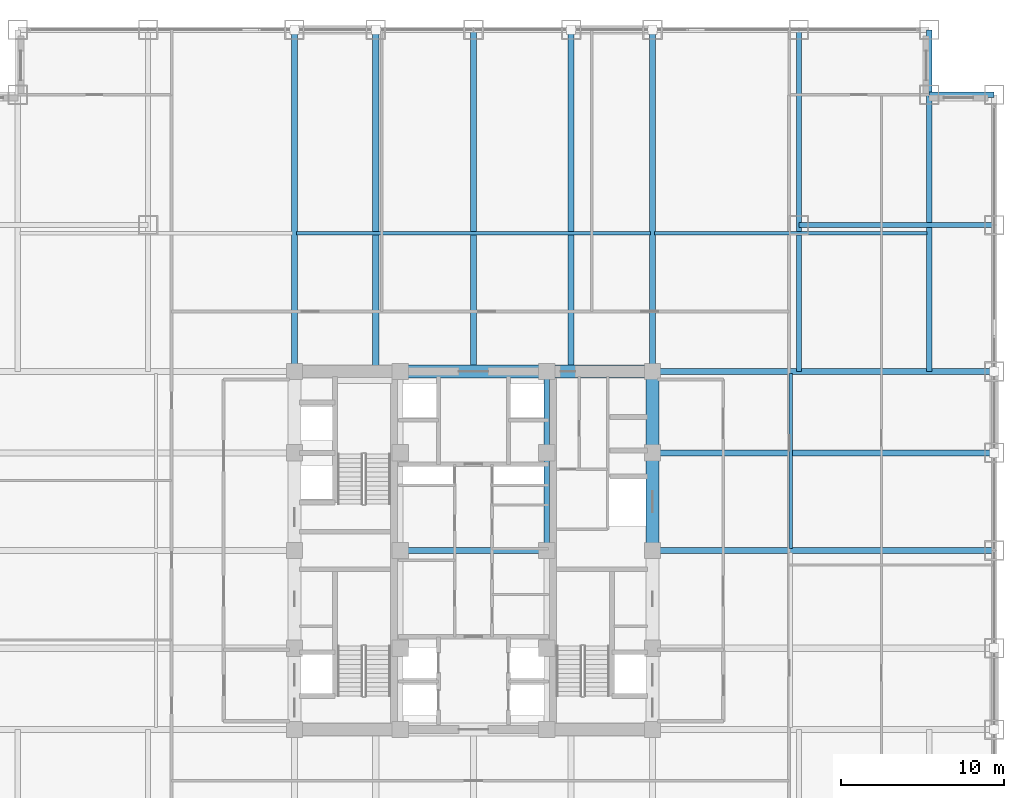
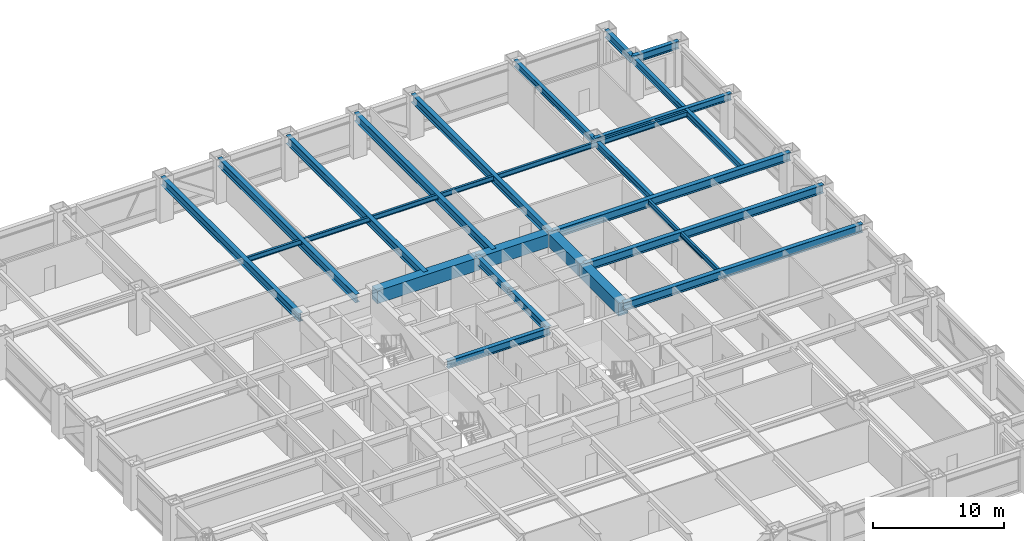
# One storey, part 11 of 28: 23 beams.
"""IFC4 building model written with IfcOpenShell, lengths in metres."""

import ifcopenshell
import ifcopenshell.guid

model = None  # the IFC model being written
_history = None  # IfcOwnerHistory: only IFC2X3 demands one
_inside = {}  # id of a spatial element -> (the spatial element, [elements in it])
_under = {}  # id of a project, library or spatial element -> (it, [spatial elements below it])
_declared = {}  # id of a project -> (the project, [libraries it declares])
_typed = {}  # id of a type object -> (the type object, [elements of that type])
_made_of = {}  # id of a material, layer set ... -> (it, [elements and type objects made of it])


def new_model(schema):
    """Start an empty IFC model of exactly this schema.

    Asked for "IFC4X3", IfcOpenShell would pick the latest addendum, in which some entities
    have other attributes; the version numbers below select the first issue.
    IFC2X3 requires an IfcOwnerHistory on every rooted entity: one is made here for all.
    """
    global model, _history
    if schema == "IFC4X3":
        model = ifcopenshell.file(schema_version=(4, 3, 0, 0))
    else:
        model = ifcopenshell.file(schema=schema)
    _inside.clear()
    _under.clear()
    _declared.clear()
    _typed.clear()
    _made_of.clear()
    _history = None
    if model.schema == "IFC2X3":
        org = make("IfcOrganization", Name="unknown")
        user = make(
            "IfcPersonAndOrganization",
            ThePerson=make("IfcPerson", FamilyName="unknown"),
            TheOrganization=org,
        )
        app = make(
            "IfcApplication",
            ApplicationDeveloper=org,
            Version="unknown",
            ApplicationFullName="unknown",
            ApplicationIdentifier="unknown",
        )
        _history = make(
            "IfcOwnerHistory",
            OwningUser=user,
            OwningApplication=app,
            ChangeAction="ADDED",
            CreationDate=0,
        )
    return model


def make(cls, **values):
    """One entity of the class cls with the attributes given. An attribute that is None is left unset."""
    return model.create_entity(
        cls, **{name: value for name, value in values.items() if value is not None}
    )


def rooted(cls, **values):
    """An entity with a GlobalId (a new one), such as an element, a storey or a relation."""
    return make(cls, GlobalId=ifcopenshell.guid.new(), OwnerHistory=_history, **values)


def si_unit(unit_type, name, prefix=None):
    """IfcSIUnit, for example si_unit("LENGTHUNIT", "METRE", prefix="MILLI")."""
    return make("IfcSIUnit", UnitType=unit_type, Prefix=prefix, Name=name)


def assignment(units):
    """IfcUnitAssignment: the units of a project."""
    return None if units is None else make("IfcUnitAssignment", Units=units)


def point(xyz):
    """IfcCartesianPoint."""
    return None if xyz is None else make("IfcCartesianPoint", Coordinates=xyz)


def direction(xyz):
    """IfcDirection."""
    return None if xyz is None else make("IfcDirection", DirectionRatios=xyz)


def frame(location, z_axis=None, x_axis=None):
    """IfcAxis2Placement3D, a coordinate frame: its origin and axes. An axis left out is left unset."""
    return make(
        "IfcAxis2Placement3D",
        Location=point(location),
        Axis=direction(z_axis),
        RefDirection=direction(x_axis),
    )


def frame_2d(location, x_axis=None):
    """IfcAxis2Placement2D, a coordinate frame in the plane: its origin and x axis."""
    return make(
        "IfcAxis2Placement2D", Location=point(location), RefDirection=direction(x_axis)
    )


def origin():
    """The frame at (0, 0, 0) with its axes left unset."""
    return frame((0.0, 0.0, 0.0))


def origin_2d():
    """The frame at (0, 0) in the plane with its x axis left unset."""
    return frame_2d((0.0, 0.0))


def place(relative_to, where):
    """IfcLocalPlacement: puts the frame where relative to a parent placement (None: the world)."""
    return make(
        "IfcLocalPlacement", PlacementRelTo=relative_to, RelativePlacement=where
    )


def context(
    kind, dimensions, precision=None, world=None, true_north=None, identifier=None
):
    """IfcGeometricRepresentationContext, for example the 3D "Model" context."""
    return make(
        "IfcGeometricRepresentationContext",
        ContextIdentifier=identifier,
        ContextType=kind,
        CoordinateSpaceDimension=dimensions,
        Precision=precision,
        WorldCoordinateSystem=world,
        TrueNorth=true_north,
    )


def subcontext(parent, identifier, kind, view, scale=None):
    """IfcGeometricRepresentationSubContext, for example "Body" below "Model"."""
    return make(
        "IfcGeometricRepresentationSubContext",
        ContextIdentifier=identifier,
        ContextType=kind,
        ParentContext=parent,
        TargetScale=scale,
        TargetView=view,
    )


def project(units=None, contexts=None):
    """IfcProject with its units and contexts."""
    return rooted(
        "IfcProject",
        Name="project",
        RepresentationContexts=contexts,
        UnitsInContext=assignment(units),
    )


def spatial(cls, under=None, at=None, **own):
    """A site, building, storey or space (cls), placed at a placement, below another one or the project."""
    s = rooted(cls, ObjectPlacement=at, **own)
    if under is not None:
        _under.setdefault(under.id(), (under, []))[1].append(s)
    return s


def profile(cls, at=None, kind="AREA", **sizes):
    """A parametric profile (cls). Its sizes go by their IFC names, for example OverallWidth=200.0."""
    return make(cls, ProfileType=kind, Position=at, **sizes)


def rectangle(**sizes):
    """IfcRectangleProfileDef."""
    return profile("IfcRectangleProfileDef", **sizes)


def i_section(**sizes):
    """IfcIShapeProfileDef."""
    return profile("IfcIShapeProfileDef", **sizes)


def extrude(swept, where, along, depth):
    """IfcExtrudedAreaSolid: the profile swept, set in the frame where, extruded along a direction by depth."""
    return make(
        "IfcExtrudedAreaSolid",
        SweptArea=swept,
        Position=where,
        ExtrudedDirection=direction(along),
        Depth=depth,
    )


def shape(context_of_items, identifier, shape_type, items):
    """IfcShapeRepresentation: the items that make up one representation, for example the "Body"."""
    return make(
        "IfcShapeRepresentation",
        ContextOfItems=context_of_items,
        RepresentationIdentifier=identifier,
        RepresentationType=shape_type,
        Items=items,
    )


def source(mapping_origin, context_of_items, identifier, shape_type, items):
    """IfcRepresentationMap: a shape defined once, which mapped items show again and again."""
    return make(
        "IfcRepresentationMap",
        MappingOrigin=mapping_origin,
        MappedRepresentation=shape(context_of_items, identifier, shape_type, items),
    )


def transform(
    local_origin,
    x_axis=None,
    y_axis=None,
    z_axis=None,
    scale=None,
    scale2=None,
    scale3=None,
    uniform=True,
):
    """IfcCartesianTransformationOperator3D, or its non-uniform kind. x_axis, y_axis, z_axis: its Axis1, 2, 3."""
    if uniform:
        return make(
            "IfcCartesianTransformationOperator3D",
            Axis1=direction(x_axis),
            Axis2=direction(y_axis),
            LocalOrigin=point(local_origin),
            Scale=scale,
            Axis3=direction(z_axis),
        )
    return make(
        "IfcCartesianTransformationOperator3DnonUniform",
        Axis1=direction(x_axis),
        Axis2=direction(y_axis),
        LocalOrigin=point(local_origin),
        Scale=scale,
        Axis3=direction(z_axis),
        Scale2=scale2,
        Scale3=scale3,
    )


def mapped(mapping_source, mapping_target):
    """IfcMappedItem: shows the shape of a source again, moved by a transform."""
    return make(
        "IfcMappedItem", MappingSource=mapping_source, MappingTarget=mapping_target
    )


def material(Name=None, Category=None):
    """IfcMaterial."""
    return make("IfcMaterial", Name=Name, Category=Category)


def material_profile(
    of_material, cross_section, Name=None, Category=None, Priority=None
):
    """IfcMaterialProfile: a cross section and its material."""
    return make(
        "IfcMaterialProfile",
        Name=Name,
        Material=of_material,
        Profile=cross_section,
        Priority=Priority,
        Category=Category,
    )


def profile_set(profiles, Name=None, composite=None):
    """IfcMaterialProfileSet."""
    return make(
        "IfcMaterialProfileSet",
        Name=Name,
        MaterialProfiles=profiles,
        CompositeProfile=composite,
    )


def made_of(thing, what):
    """Note that an element or type object is made of a material, layer set ...; save() writes the relation."""
    if what is not None:
        _made_of.setdefault(what.id(), (what, []))[1].append(thing)
    return thing


def type_object(cls, material=None, **own):
    """A type object (cls), such as IfcWallType, which elements share."""
    return made_of(rooted(cls, **own), material)


def element(
    cls,
    number,
    at=None,
    inside=None,
    cuts=None,
    type_object=None,
    material=None,
    context=None,
    identifier="Body",
    shape_type=None,
    held_by="IfcProductDefinitionShape",
    body=None,
    shapes=None,
    **own,
):
    """One element of the class cls, such as IfcWall. Its Tag is "e" and its number.

    at: its placement. inside: the storey or other place that contains it. cuts: it is an
    opening in that element (IfcRelVoidsElement). A single representation is given by context,
    identifier, shape_type and body (its items); several are given by shapes. held_by: the class
    of the entity that holds the representations. save() writes the other relations.
    """
    e = rooted(cls, Tag="e%d" % number, ObjectPlacement=at, **own)
    if body is not None:
        shapes = [shape(context, identifier, shape_type, body)]
    if shapes is not None:
        e.Representation = make(held_by, Representations=shapes)
    if inside is not None:
        _inside.setdefault(inside.id(), (inside, []))[1].append(e)
    if cuts is not None:
        rooted(
            "IfcRelVoidsElement", RelatingBuildingElement=cuts, RelatedOpeningElement=e
        )
    if type_object is not None:
        _typed.setdefault(type_object.id(), (type_object, []))[1].append(e)
    return made_of(e, material)


def aggregate(whole, parts):
    """IfcRelAggregates: a whole, such as a stair, and the parts it consists of."""
    return rooted("IfcRelAggregates", RelatingObject=whole, RelatedObjects=parts)


def save(model, path):
    """Write the relations noted so far, then the file.

    IfcRelAggregates (storeys below a building ...), IfcRelContainedInSpatialStructure (elements
    in a storey), IfcRelDefinesByType, IfcRelAssociatesMaterial and IfcRelDeclares: one each for
    every whole, place, type object, material and project.
    """
    for whole, parts in _under.values():
        aggregate(whole, parts)
    for where, things in _inside.values():
        rooted(
            "IfcRelContainedInSpatialStructure",
            RelatedElements=things,
            RelatingStructure=where,
        )
    for kind, things in _typed.values():
        rooted("IfcRelDefinesByType", RelatedObjects=things, RelatingType=kind)
    for what, things in _made_of.values():
        rooted("IfcRelAssociatesMaterial", RelatedObjects=things, RelatingMaterial=what)
    for by, libraries in _declared.values():
        rooted("IfcRelDeclares", RelatingContext=by, RelatedDefinitions=libraries)
    model.write(path)


model = new_model("IFC4")

# Units and contexts
model_context = context("Model", 3, precision=1e-05, world=origin(), true_north=direction((0.0, 1.0)))
body_context = subcontext(model_context, "Body", "Model", "MODEL_VIEW")
ifc_project = project(units=[si_unit("LENGTHUNIT", "METRE"), si_unit("AREAUNIT", "SQUARE_METRE"), si_unit("VOLUMEUNIT", "CUBIC_METRE"), si_unit("PLANEANGLEUNIT", "RADIAN"), si_unit("MASSUNIT", "GRAM", prefix="KILO")], contexts=[model_context])

# Site, building, storey
site_placement = place(None, origin())
site = spatial("IfcSite", under=ifc_project, at=site_placement, CompositionType="ELEMENT")
building_placement = place(site_placement, origin())
building = spatial("IfcBuilding", under=site, at=building_placement, Name="Khorayat Bourse Tower", CompositionType="ELEMENT")
storey_placement = place(building_placement, frame((0.0, 0.0, 116.0)))
storey = spatial("IfcBuildingStorey", under=building, at=storey_placement, Name="L26", CompositionType="ELEMENT", Elevation=116.0)

# Beams
ifc_material_1 = material(Name="Concrete C72/90", Category="concrete")
ifc_material_profile_1 = material_profile(ifc_material_1, rectangle(XDim=0.800048828125, YDim=1.199951171875, at=origin_2d()), Name="RC 800x1200")
ifc_profile_set_1 = profile_set([ifc_material_profile_1], Name="Concrete C72/90")
beam_type_1 = type_object("IfcBeamType", Name="BM-COUP-1200", PredefinedType="BEAM", material=ifc_profile_set_1)
shared_shape_1 = source(origin(), body_context, "Body", "SweptSolid", [
    extrude(rectangle(XDim=0.800048828125, YDim=1.199951171875, at=origin_2d()), origin(), (0.0, 0.0, 1.0), 5.0),
])
beam_1_placement = place(storey_placement, frame((11.0, 6.0, 3.239990234375), z_axis=(0.0, 1.0, 0.0), x_axis=(-1.0, 0.0, 0.0)))
element("IfcBeam", 1, at=beam_1_placement, inside=storey, type_object=beam_type_1, Name="L26 BM-COUP-1200 BM-L26-CRX-16", PredefinedType="BEAM", context=body_context, shape_type="MappedRepresentation", body=[
    mapped(shared_shape_1, transform((0.0, 0.0, 0.0), scale=1.0)),
])
shared_shape_2 = source(origin(), body_context, "Body", "SweptSolid", [
    extrude(rectangle(XDim=0.800048828125, YDim=1.199951171875, at=origin_2d()), origin(), (0.0, 0.0, 1.0), 6.0),
])
beam_2_placement = place(storey_placement, frame((11.0, 0.0, 3.239990234375), z_axis=(0.0, 1.0, 0.0), x_axis=(-1.0, 0.0, 0.0)))
element("IfcBeam", 2, at=beam_2_placement, inside=storey, type_object=beam_type_1, Name="L26 BM-COUP-1200 BM-L26-CRX-15", PredefinedType="BEAM", context=body_context, shape_type="MappedRepresentation", body=[
    mapped(shared_shape_2, transform((0.0, 0.0, 0.0), scale=1.0)),
])
ifc_material_2 = material(Name="Steel ASTM A992 Grade 50", Category="steel")
ifc_material_profile_2 = material_profile(ifc_material_2, i_section(OverallWidth=0.35498046875, OverallDepth=0.695068359375, WebThickness=0.015380859375, FlangeThickness=0.02490234375, FilletRadius=0.01806640625, at=origin_2d()), Name="W690X217")
ifc_profile_set_2 = profile_set([ifc_material_profile_2], Name="Steel ASTM A992 Grade 50")
beam_type_2 = type_object("IfcBeamType", Name="BM-GIRD-690", PredefinedType="BEAM", material=ifc_profile_set_2)
shared_shape_3 = source(origin(), body_context, "Body", "SweptSolid", [
    extrude(i_section(OverallWidth=0.35498046875, OverallDepth=0.695068359375, WebThickness=0.015380859375, FlangeThickness=0.02490234375, FilletRadius=0.01806640625, at=origin_2d()), origin(), (0.0, 0.0, 1.0), 5.0),
])
beam_3_placement = place(storey_placement, frame((4.5, 6.0, 3.492431640625), z_axis=(0.0, 1.0, 0.0), x_axis=(-1.0, 0.0, 0.0)))
element("IfcBeam", 3, at=beam_3_placement, inside=storey, type_object=beam_type_2, Name="L26 BM-GIRD-690 BM-L26-CRX-12", PredefinedType="BEAM", context=body_context, shape_type="MappedRepresentation", body=[
    mapped(shared_shape_3, transform((0.0, 0.0, 0.0), scale=1.0)),
])
shared_shape_4 = source(origin(), body_context, "Body", "SweptSolid", [
    extrude(i_section(OverallWidth=0.35498046875, OverallDepth=0.695068359375, WebThickness=0.015380859375, FlangeThickness=0.02490234375, FilletRadius=0.01806640625, at=origin_2d()), origin(), (0.0, 0.0, 1.0), 6.0),
])
beam_4_placement = place(storey_placement, frame((4.5, 0.0, 3.492431640625), z_axis=(0.0, 1.0, 0.0), x_axis=(-1.0, 0.0, 0.0)))
element("IfcBeam", 4, at=beam_4_placement, inside=storey, type_object=beam_type_2, Name="L26 BM-GIRD-690 BM-L26-CRX-11", PredefinedType="BEAM", context=body_context, shape_type="MappedRepresentation", body=[
    mapped(shared_shape_4, transform((0.0, 0.0, 0.0), scale=1.0)),
])
shared_shape_5 = source(origin(), body_context, "Body", "SweptSolid", [
    extrude(rectangle(XDim=0.800048828125, YDim=1.199951171875, at=origin_2d()), origin(), (0.0, 0.0, 1.0), 6.5),
])
beam_5_placement = place(storey_placement, frame((4.5, 11.0, 3.239990234375), z_axis=(1.0, 0.0, 0.0), x_axis=(0.0, 1.0, 0.0)))
element("IfcBeam", 5, at=beam_5_placement, inside=storey, type_object=beam_type_1, Name="L26 BM-COUP-1200 BM-L26-CRY-22", PredefinedType="BEAM", context=body_context, shape_type="MappedRepresentation", body=[
    mapped(shared_shape_5, transform((0.0, 0.0, 0.0), scale=1.0)),
])
shared_shape_6 = source(origin(), body_context, "Body", "SweptSolid", [
    extrude(rectangle(XDim=0.800048828125, YDim=1.199951171875, at=origin_2d()), origin(), (0.0, 0.0, 1.0), 9.0),
])
beam_6_placement = place(storey_placement, frame((-4.5, 11.0, 3.239990234375), z_axis=(1.0, 0.0, 0.0), x_axis=(0.0, 1.0, 0.0)))
element("IfcBeam", 6, at=beam_6_placement, inside=storey, type_object=beam_type_1, Name="L26 BM-COUP-1200 BM-L26-CRY-21", PredefinedType="BEAM", context=body_context, shape_type="MappedRepresentation", body=[
    mapped(shared_shape_6, transform((0.0, 0.0, 0.0), scale=1.0)),
])
shared_shape_7 = source(origin(), body_context, "Body", "SweptSolid", [
    extrude(i_section(OverallWidth=0.35498046875, OverallDepth=0.695068359375, WebThickness=0.015380859375, FlangeThickness=0.02490234375, FilletRadius=0.01806640625, at=origin_2d()), origin(), (0.0, 0.0, 1.0), 9.0),
])
beam_7_placement = place(storey_placement, frame((-4.5, 0.0, 3.492431640625), z_axis=(1.0, 0.0, 0.0), x_axis=(0.0, 1.0, 0.0)))
element("IfcBeam", 7, at=beam_7_placement, inside=storey, type_object=beam_type_2, Name="L26 BM-GIRD-690 BM-L26-CRY-23", PredefinedType="BEAM", context=body_context, shape_type="MappedRepresentation", body=[
    mapped(shared_shape_7, transform((0.0, 0.0, 0.0), scale=1.0)),
])
ifc_material_profile_3 = material_profile(ifc_material_2, i_section(OverallWidth=0.324951171875, OverallDepth=0.615966796875, WebThickness=0.013916015625, FlangeThickness=0.021484375, FilletRadius=0.01611328125, at=origin_2d()), Name="W610X174")
ifc_profile_set_3 = profile_set([ifc_material_profile_3], Name="Steel ASTM A992 Grade 50")
beam_type_3 = type_object("IfcBeamType", Name="BM-GIRD-610", PredefinedType="BEAM", material=ifc_profile_set_3)
shared_shape_8 = source(origin(), body_context, "Body", "SweptSolid", [
    extrude(i_section(OverallWidth=0.324951171875, OverallDepth=0.615966796875, WebThickness=0.013916015625, FlangeThickness=0.021484375, FilletRadius=0.01611328125, at=origin_2d()), origin(), (0.0, 0.0, 1.0), 21.0),
])
beam_8_placement = place(storey_placement, frame((20.0, 11.0, 3.531982421875), z_axis=(0.0, 1.0, 0.0), x_axis=(-1.0, 0.0, 0.0)))
element("IfcBeam", 8, at=beam_8_placement, inside=storey, type_object=beam_type_3, Name="L26 BM-GIRD-610 BM-L26-CNRY-087", PredefinedType="BEAM", context=body_context, shape_type="MappedRepresentation", body=[
    mapped(shared_shape_8, transform((0.0, 0.0, 0.0), scale=1.0)),
])
shared_shape_9 = source(origin(), body_context, "Body", "SweptSolid", [
    extrude(i_section(OverallWidth=0.324951171875, OverallDepth=0.615966796875, WebThickness=0.013916015625, FlangeThickness=0.021484375, FilletRadius=0.01611328125, at=origin_2d()), origin(), (0.0, 0.0, 1.0), 12.0),
])
beam_9_placement = place(storey_placement, frame((20.0, 20.0, 3.531982421875), z_axis=(1.0, 0.0, 0.0), x_axis=(0.0, 1.0, 0.0)))
element("IfcBeam", 9, at=beam_9_placement, inside=storey, type_object=beam_type_3, Name="L26 BM-GIRD-610 BM-L26-CNRX-094", PredefinedType="BEAM", context=body_context, shape_type="MappedRepresentation", body=[
    mapped(shared_shape_9, transform((0.0, 0.0, 0.0), scale=1.0)),
])
ifc_material_profile_4 = material_profile(ifc_material_2, i_section(OverallWidth=0.194091796875, OverallDepth=0.468994140625, WebThickness=0.0126953125, FlangeThickness=0.0205078125, FilletRadius=0.012939453125, at=origin_2d()), Name="W460X106")
ifc_profile_set_4 = profile_set([ifc_material_profile_4], Name="Steel ASTM A992 Grade 50")
beam_type_4 = type_object("IfcBeamType", Name="BM-JOIST-460", PredefinedType="JOIST", material=ifc_profile_set_4)
shared_shape_10 = source(origin(), body_context, "Body", "SweptSolid", [
    extrude(i_section(OverallWidth=0.194091796875, OverallDepth=0.468994140625, WebThickness=0.0126953125, FlangeThickness=0.0205078125, FilletRadius=0.012939453125, at=origin_2d()), origin(), (0.0, 0.0, 1.0), 21.740234375),
])
beam_10_placement = place(storey_placement, frame((-10.8701171875, 19.5, 3.60546875), z_axis=(1.0, 0.0, 0.0), x_axis=(0.0, 1.0, 0.0)))
element("IfcBeam", 10, at=beam_10_placement, inside=storey, type_object=beam_type_4, Name="L26 BM-JOIST-460 BM-L26-JSTX-100", PredefinedType="JOIST", context=body_context, shape_type="MappedRepresentation", body=[
    mapped(shared_shape_10, transform((0.0, 0.0, 0.0), scale=1.0)),
])
shared_shape_11 = source(origin(), body_context, "Body", "SweptSolid", [
    extrude(i_section(OverallWidth=0.194091796875, OverallDepth=0.468994140625, WebThickness=0.0126953125, FlangeThickness=0.0205078125, FilletRadius=0.012939453125, at=origin_2d()), origin(), (0.0, 0.0, 1.0), 10.740234375),
])
beam_11_placement = place(storey_placement, frame((19.5, 0.1298828125, 3.60546875), z_axis=(0.0, 1.0, 0.0), x_axis=(-1.0, 0.0, 0.0)))
element("IfcBeam", 11, at=beam_11_placement, inside=storey, type_object=beam_type_4, Name="L26 BM-JOIST-460 BM-L26-JSTY-105", PredefinedType="JOIST", context=body_context, shape_type="MappedRepresentation", body=[
    mapped(shared_shape_11, transform((0.0, 0.0, 0.0), scale=1.0)),
])
ifc_material_profile_5 = material_profile(ifc_material_2, i_section(OverallWidth=0.35498046875, OverallDepth=0.695068359375, WebThickness=0.015380859375, FlangeThickness=0.02490234375, FilletRadius=0.01806640625, at=origin_2d()), Name="W690X217")
ifc_profile_set_5 = profile_set([ifc_material_profile_5], Name="Steel ASTM A992 Grade 50")
beam_type_5 = type_object("IfcBeamType", Name="BM-SPAN-690", PredefinedType="SPANDREL", material=ifc_profile_set_5)
shared_shape_12 = source(origin(), body_context, "Body", "SweptSolid", [
    extrude(i_section(OverallWidth=0.35498046875, OverallDepth=0.695068359375, WebThickness=0.015380859375, FlangeThickness=0.02490234375, FilletRadius=0.01806640625, at=origin_2d()), origin(), (0.0, 0.0, 1.0), 4.0),
])
for number, where, z_axis, x_axis, name in (
    (12, (28.0, 28.0, 3.492431640625), (1.0, 0.0, 0.0), (0.0, 1.0, 0.0), "L26 BM-SPAN-690 BM-L26-SPN-042"),
    (13, (28.0, 28.0, 3.492431640625), (0.0, 1.0, 0.0), (-1.0, 0.0, 0.0), "L26 BM-SPAN-690 BM-L26-SPN-043"),
):
    element("IfcBeam", number, at=place(storey_placement, frame(where, z_axis=z_axis, x_axis=x_axis)), inside=storey, type_object=beam_type_5, Name=name, PredefinedType="SPANDREL", context=body_context, shape_type="MappedRepresentation", body=[
        mapped(shared_shape_12, transform((0.0, 0.0, 0.0), scale=1.0)),
    ])
ifc_material_profile_6 = material_profile(ifc_material_2, i_section(OverallWidth=0.381103515625, OverallDepth=0.77294921875, WebThickness=0.0166015625, FlangeThickness=0.027587890625, FilletRadius=0.01806640625, at=origin_2d()), Name="W760X257")
ifc_profile_set_6 = profile_set([ifc_material_profile_6], Name="Steel ASTM A992 Grade 50")
beam_type_6 = type_object("IfcBeamType", Name="BM-GIRD-760", PredefinedType="BEAM", material=ifc_profile_set_6)
shared_shape_13 = source(origin(), body_context, "Body", "SweptSolid", [
    extrude(i_section(OverallWidth=0.381103515625, OverallDepth=0.77294921875, WebThickness=0.0166015625, FlangeThickness=0.027587890625, FilletRadius=0.01806640625, at=origin_2d()), origin(), (0.0, 0.0, 1.0), 21.0),
])
for number, where, z_axis, x_axis, name in (
    (14, (-11.0, 11.0, 3.45361328125), (0.0, 1.0, 0.0), (-1.0, 0.0, 0.0), "L26 BM-GIRD-760 BM-L26-RADY-064"),
    (15, (-6.0, 11.0, 3.45361328125), (0.0, 1.0, 0.0), (-1.0, 0.0, 0.0), "L26 BM-GIRD-760 BM-L26-RADY-066"),
    (16, (0.0, 11.0, 3.45361328125), (0.0, 1.0, 0.0), (-1.0, 0.0, 0.0), "L26 BM-GIRD-760 BM-L26-RADY-068"),
    (17, (6.0, 11.0, 3.45361328125), (0.0, 1.0, 0.0), (-1.0, 0.0, 0.0), "L26 BM-GIRD-760 BM-L26-RADY-070"),
    (18, (11.0, 11.0, 3.45361328125), (0.0, 1.0, 0.0), (-1.0, 0.0, 0.0), "L26 BM-GIRD-760 BM-L26-RADY-072"),
    (19, (11.0, 0.0, 3.45361328125), (1.0, 0.0, 0.0), (0.0, 1.0, 0.0), "L26 BM-GIRD-760 BM-L26-RADX-078"),
    (20, (11.0, 6.0, 3.45361328125), (1.0, 0.0, 0.0), (0.0, 1.0, 0.0), "L26 BM-GIRD-760 BM-L26-RADX-080"),
    (21, (11.0, 11.0, 3.45361328125), (1.0, 0.0, 0.0), (0.0, 1.0, 0.0), "L26 BM-GIRD-760 BM-L26-RADX-082"),
):
    element("IfcBeam", number, at=place(storey_placement, frame(where, z_axis=z_axis, x_axis=x_axis)), inside=storey, type_object=beam_type_6, Name=name, PredefinedType="BEAM", context=body_context, shape_type="MappedRepresentation", body=[
        mapped(shared_shape_13, transform((0.0, 0.0, 0.0), scale=1.0)),
    ])
shared_shape_14 = source(origin(), body_context, "Body", "SweptSolid", [
    extrude(i_section(OverallWidth=0.324951171875, OverallDepth=0.615966796875, WebThickness=0.013916015625, FlangeThickness=0.021484375, FilletRadius=0.01611328125, at=origin_2d()), origin(), (0.0, 0.0, 1.0), 17.0),
])
beam_12_placement = place(storey_placement, frame((28.0, 11.0, 3.531982421875), z_axis=(0.0, 1.0, 0.0), x_axis=(-1.0, 0.0, 0.0)))
element("IfcBeam", 22, at=beam_12_placement, inside=storey, type_object=beam_type_3, Name="L26 BM-GIRD-610 BM-L26-CNRY-091", PredefinedType="BEAM", context=body_context, shape_type="MappedRepresentation", body=[
    mapped(shared_shape_14, transform((0.0, 0.0, 0.0), scale=1.0)),
])
shared_shape_15 = source(origin(), body_context, "Body", "SweptSolid", [
    extrude(i_section(OverallWidth=0.194091796875, OverallDepth=0.468994140625, WebThickness=0.0126953125, FlangeThickness=0.0205078125, FilletRadius=0.012939453125, at=origin_2d()), origin(), (0.0, 0.0, 1.0), 16.740234375),
])
beam_13_placement = place(storey_placement, frame((11.1298828125, 19.5, 3.60546875), z_axis=(1.0, 0.0, 0.0), x_axis=(0.0, 1.0, 0.0)))
element("IfcBeam", 23, at=beam_13_placement, inside=storey, type_object=beam_type_4, Name="L26 BM-JOIST-460 BM-L26-JSTX-101", PredefinedType="JOIST", context=body_context, shape_type="MappedRepresentation", body=[
    mapped(shared_shape_15, transform((0.0, 0.0, 0.0), scale=1.0)),
])

save(model, "model.ifc")
